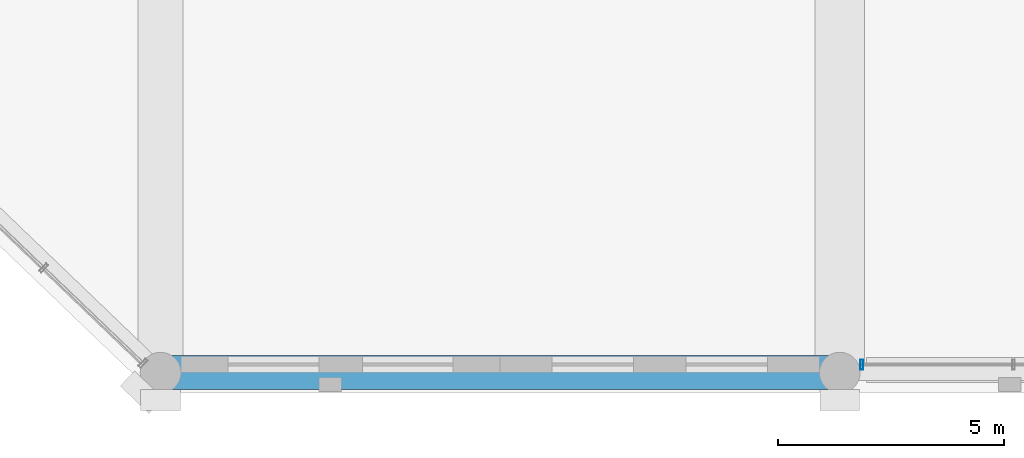
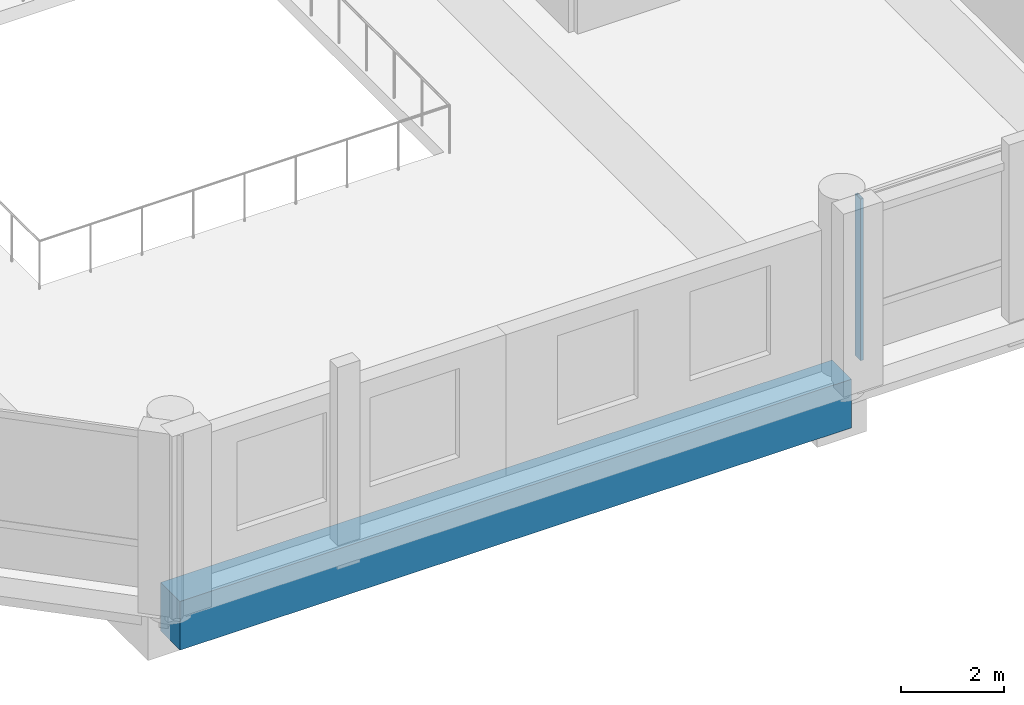
# One storey, part 10 of 68: 1 beam, 1 member, 1 element without a shape of its own.
"""IFC4 building model written with IfcOpenShell, lengths in metres."""

from ifc_helpers import new_model, si_unit, direction, frame, origin, origin_2d, place, context, subcontext, project, spatial, rectangle, hollow_rectangle, extrude, material, material_profile, profile_set, type_object, element, aggregate, save


model = new_model("IFC4")

# Units and contexts
model_context = context("Model", 3, precision=1e-05, world=origin(), true_north=direction((0.0, 1.0)))
body_context = subcontext(model_context, "Body", "Model", "MODEL_VIEW")
ifc_project = project(units=[si_unit("LENGTHUNIT", "METRE"), si_unit("AREAUNIT", "SQUARE_METRE"), si_unit("VOLUMEUNIT", "CUBIC_METRE"), si_unit("PLANEANGLEUNIT", "RADIAN"), si_unit("MASSUNIT", "GRAM", prefix="KILO")], contexts=[model_context])

# Site, building, storey
site_placement = place(None, origin())
site = spatial("IfcSite", under=ifc_project, at=site_placement, CompositionType="ELEMENT")
building_placement = place(site_placement, origin())
building = spatial("IfcBuilding", under=site, at=building_placement, Name="Akrevak Sports Hall", CompositionType="ELEMENT")
storey_placement = place(building_placement, frame((0.0, 0.0, 9.39990234375)))
storey = spatial("IfcBuildingStorey", under=building, at=storey_placement, Name="L02", CompositionType="ELEMENT", Elevation=9.39990234375)

# Curtain wall, member
ifc_material_1 = material(Name="Anodized Bronze Aluminium & Low-E Glass", Category="aluminium")
curtain_wall_type = type_object("IfcCurtainWallType", Name="ARC-CW-POD-70x42", PredefinedType="NOTDEFINED", material=ifc_material_1)
curtain_wall_placement = place(storey_placement, origin())
curtain_wall = element("IfcCurtainWall", 1, at=curtain_wall_placement, inside=storey, type_object=curtain_wall_type, Name="Curtain Wall CW-L02-S03", PredefinedType="NOTDEFINED")
ifc_material_2 = material(Name="Anodized Bronze Aluminium", Category="aluminium")
ifc_material_profile_1 = material_profile(ifc_material_2, hollow_rectangle(XDim=0.06494140625, YDim=0.219970703125, WallThickness=0.00439453125, at=origin_2d()), Name="CWM 65x220", Category="aluminium")
ifc_profile_set_1 = profile_set([ifc_material_profile_1], Name="Anodized Bronze Aluminium")
member_type = type_object("IfcMemberType", Name="ARC-CWM-70x160", PredefinedType="MULLION", material=ifc_profile_set_1)
member_placement = place(storey_placement, frame((30.489990234375, 0.179931640625, 0.0), z_axis=(0.0, 0.0, 1.0), x_axis=(1.0, 0.0, 0.0)))
member = element("IfcMember", 2, at=member_placement, type_object=member_type, Name="Curtain Wall Mullion CW-L02-S03-M1", PredefinedType="MULLION", context=body_context, shape_type="SweptSolid", body=[
    extrude(hollow_rectangle(XDim=0.06494140625, YDim=0.219970703125, WallThickness=0.00439453125, at=origin_2d()), origin(), (0.0, 0.0, 1.0), 3.820068359375),
])
aggregate(curtain_wall, [member])

# Beam
ifc_material_3 = material(Name="Concrete C50/60", Category="concrete")
ifc_material_profile_2 = material_profile(ifc_material_3, rectangle(XDim=0.75, YDim=1.14990234375, at=origin_2d()), Name="SPD 750x1150", Category="concrete")
ifc_profile_set_2 = profile_set([ifc_material_profile_2], Name="Concrete C50/60")
beam_type = type_object("IfcBeamType", Name="STR-SPD-LSP750x1150", PredefinedType="SPANDREL", material=ifc_profile_set_2)
beam_placement = place(storey_placement, frame((15.0, 0.0, -0.574951171875), z_axis=(1.0, 0.0, 0.0), x_axis=(0.0, 1.0, 0.0)))
element("IfcBeam", 3, at=beam_placement, inside=storey, type_object=beam_type, Name="Girder A/3-5 (L02)", PredefinedType="SPANDREL", context=body_context, shape_type="SweptSolid", body=[
    extrude(rectangle(XDim=0.75, YDim=1.14990234375, at=origin_2d()), origin(), (0.0, 0.0, 1.0), 15.0),
])

save(model, "model.ifc")
